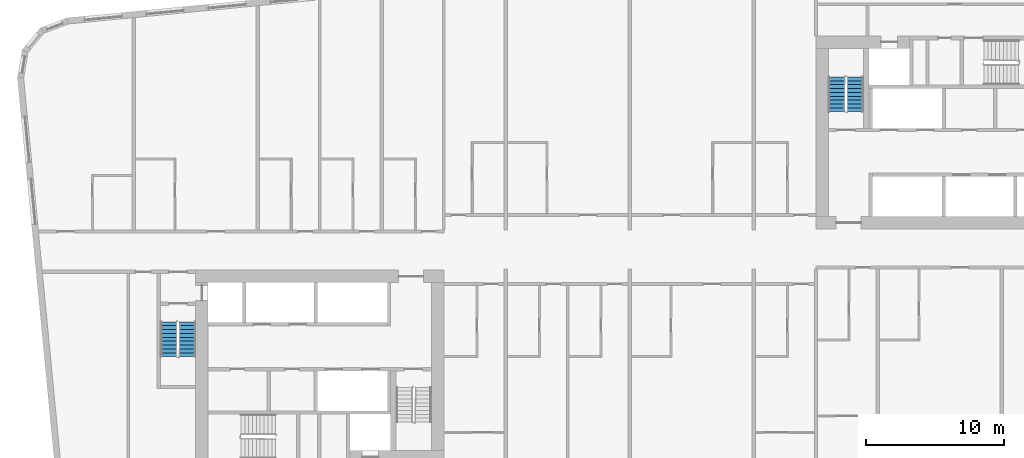
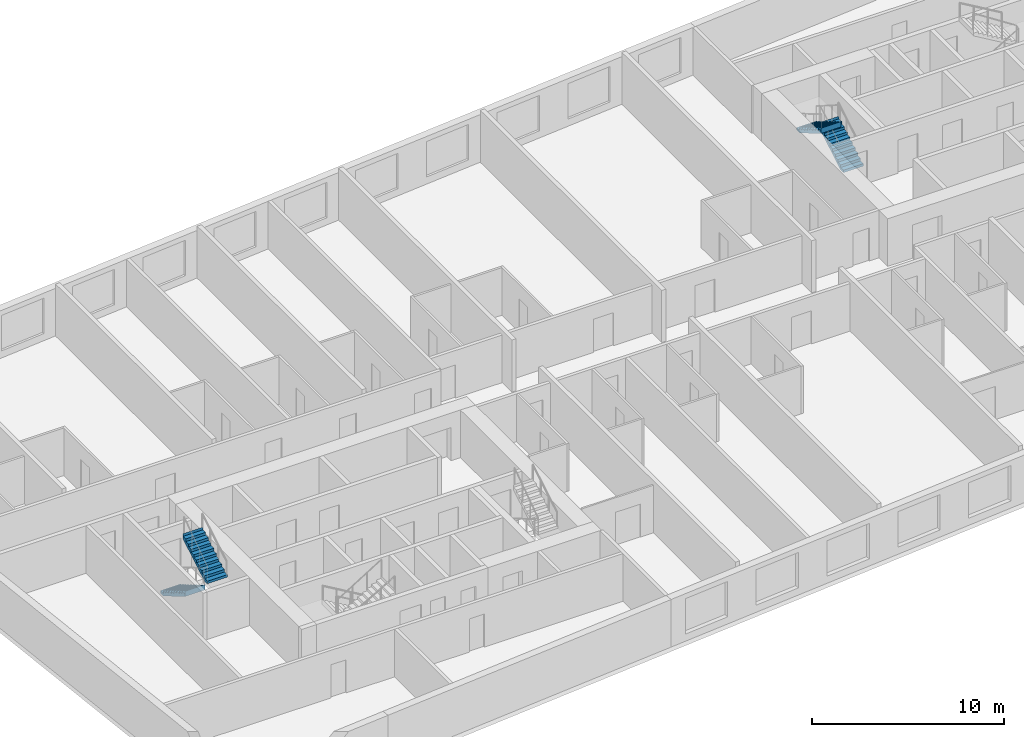
# One storey, part 10 of 12: 4 stair flights, 2 elements without a shape of their own.
"""IFC4 building model written with IfcOpenShell, lengths in metres."""

from ifc_helpers import new_model, si_unit, direction, frame, origin, place, context, subcontext, project, spatial, faceted_brep, material, type_object, element, aggregate, save


model = new_model("IFC4")

# Units and contexts
model_context = context("Model", 3, precision=1e-05, world=origin(), true_north=direction((0.0, 1.0)))
body_context = subcontext(model_context, "Body", "Model", "MODEL_VIEW")
ifc_project = project(units=[si_unit("LENGTHUNIT", "METRE"), si_unit("AREAUNIT", "SQUARE_METRE"), si_unit("VOLUMEUNIT", "CUBIC_METRE"), si_unit("PLANEANGLEUNIT", "RADIAN"), si_unit("MASSUNIT", "GRAM", prefix="KILO")], contexts=[model_context])

# Site, building, storey
site_placement = place(None, origin())
site = spatial("IfcSite", under=ifc_project, at=site_placement, CompositionType="ELEMENT")
building_placement = place(site_placement, origin())
building = spatial("IfcBuilding", under=site, at=building_placement, Name="Kajstack Hotel Tower", CompositionType="ELEMENT")
storey_placement = place(building_placement, frame((0.0, 0.0, 180.10009765625)))
storey = spatial("IfcBuildingStorey", under=building, at=storey_placement, Name="L42", CompositionType="ELEMENT", Elevation=180.10009765625)

# Stair, stair flights
ifc_material = material(Name="Concrete C40/50", Category="concrete")
stair_type = type_object("IfcStairType", Name="Exit stair 1200", PredefinedType="HALF_TURN_STAIR", material=ifc_material)
stair_1_placement = place(storey_placement, origin())
stair_1 = element("IfcStair", 1, at=stair_1_placement, inside=storey, type_object=stair_type, Name="L42 stair W1", PredefinedType="HALF_TURN_STAIR")
stair_flight_type = type_object("IfcStairFlightType", Name="Exit stair flight 1200", PredefinedType="STRAIGHT", material=ifc_material)
stair_flight_1_placement = place(storey_placement, frame((-33.449951171875, -5.25, 0.0), z_axis=(0.0, 0.0, 1.0), x_axis=(0.0, -1.0, 0.0)))
stair_flight_1 = element("IfcStairFlight", 2, at=stair_flight_1_placement, type_object=stair_flight_type, Name="W1 flight 1", NumberOfRisers=10, NumberOfTreads=9, PredefinedType="STRAIGHT", RiserHeight=0.165, TreadLength=0.28, context=body_context, shape_type="Brep", body=[
    faceted_brep([(0.295654296875, -0.60009765625, 0.0), (2.5205078125, -0.60009765625, 1.31103515625), (2.5205078125, -0.60009765625, 1.64990234375), (2.52001953125, -0.60009765625, 1.64990234375), (2.52001953125, -0.60009765625, 1.485107421875), (2.239990234375, -0.60009765625, 1.485107421875), (2.239990234375, -0.60009765625, 1.320068359375), (1.9599609375, -0.60009765625, 1.320068359375), (1.9599609375, -0.60009765625, 1.155029296875), (1.679931640625, -0.60009765625, 1.155029296875), (1.679931640625, -0.60009765625, 0.989990234375), (1.39990234375, -0.60009765625, 0.989990234375), (1.39990234375, -0.60009765625, 0.824951171875), (1.1201171875, -0.60009765625, 0.824951171875), (1.1201171875, -0.60009765625, 0.659912109375), (0.840087890625, -0.60009765625, 0.659912109375), (0.840087890625, -0.60009765625, 0.4951171875), (0.56005859375, -0.60009765625, 0.4951171875), (0.56005859375, -0.60009765625, 0.330078125), (0.280029296875, -0.60009765625, 0.330078125), (0.280029296875, -0.60009765625, 0.1650390625), (-0.00048828125, -0.60009765625, 0.1650390625), (-0.00048828125, -0.60009765625, 0.0), (-0.00048828125, 0.60009765625, 0.0), (-0.00048828125, 0.60009765625, 0.1650390625), (0.280029296875, 0.60009765625, 0.1650390625), (0.280029296875, 0.60009765625, 0.330078125), (0.56005859375, 0.60009765625, 0.330078125), (0.56005859375, 0.60009765625, 0.4951171875), (0.840087890625, 0.60009765625, 0.4951171875), (0.840087890625, 0.60009765625, 0.659912109375), (1.1201171875, 0.60009765625, 0.659912109375), (1.1201171875, 0.60009765625, 0.824951171875), (1.39990234375, 0.60009765625, 0.824951171875), (1.39990234375, 0.60009765625, 0.989990234375), (1.679931640625, 0.60009765625, 0.989990234375), (1.679931640625, 0.60009765625, 1.155029296875), (1.9599609375, 0.60009765625, 1.155029296875), (1.9599609375, 0.60009765625, 1.320068359375), (2.239990234375, 0.60009765625, 1.320068359375), (2.239990234375, 0.60009765625, 1.485107421875), (2.52001953125, 0.60009765625, 1.485107421875), (2.52001953125, 0.60009765625, 1.64990234375), (2.5205078125, 0.60009765625, 1.64990234375), (2.5205078125, 0.60009765625, 1.31103515625), (0.295654296875, 0.60009765625, 0.0), (-0.00048828125, -0.300048828125, 0.1650390625), (-0.00048828125, 0.0, 0.1650390625), (-0.00048828125, 0.300048828125, 0.1650390625), (-0.00048828125, 0.300048828125, 0.0), (-0.00048828125, 0.0, 0.0), (-0.00048828125, -0.300048828125, 0.0), (0.280029296875, -0.300048828125, 0.1650390625), (0.280029296875, 0.0, 0.1650390625), (0.280029296875, 0.300048828125, 0.1650390625), (0.280029296875, -0.300048828125, 0.330078125), (0.280029296875, 0.0, 0.330078125), (0.280029296875, 0.300048828125, 0.330078125), (0.56005859375, -0.300048828125, 0.330078125), (0.56005859375, 0.0, 0.330078125), (0.56005859375, 0.300048828125, 0.330078125), (0.56005859375, -0.300048828125, 0.4951171875), (0.56005859375, 0.0, 0.4951171875), (0.56005859375, 0.300048828125, 0.4951171875), (0.840087890625, -0.300048828125, 0.4951171875), (0.840087890625, 0.0, 0.4951171875), (0.840087890625, 0.300048828125, 0.4951171875), (0.840087890625, -0.300048828125, 0.659912109375), (0.840087890625, 0.0, 0.659912109375), (0.840087890625, 0.300048828125, 0.659912109375), (1.1201171875, -0.300048828125, 0.659912109375), (1.1201171875, 0.0, 0.659912109375), (1.1201171875, 0.300048828125, 0.659912109375), (1.1201171875, -0.300048828125, 0.824951171875), (1.1201171875, 0.0, 0.824951171875), (1.1201171875, 0.300048828125, 0.824951171875), (1.39990234375, -0.300048828125, 0.824951171875), (1.39990234375, 0.0, 0.824951171875), (1.39990234375, 0.300048828125, 0.824951171875), (1.39990234375, -0.300048828125, 0.989990234375), (1.39990234375, 0.0, 0.989990234375), (1.39990234375, 0.300048828125, 0.989990234375), (1.679931640625, -0.300048828125, 0.989990234375), (1.679931640625, 0.0, 0.989990234375), (1.679931640625, 0.300048828125, 0.989990234375), (1.679931640625, -0.300048828125, 1.155029296875), (1.679931640625, 0.0, 1.155029296875), (1.679931640625, 0.300048828125, 1.155029296875), (1.9599609375, -0.300048828125, 1.155029296875), (1.9599609375, 0.0, 1.155029296875), (1.9599609375, 0.300048828125, 1.155029296875), (1.9599609375, -0.300048828125, 1.320068359375), (1.9599609375, 0.0, 1.320068359375), (1.9599609375, 0.300048828125, 1.320068359375), (2.239990234375, -0.300048828125, 1.320068359375), (2.239990234375, 0.0, 1.320068359375), (2.239990234375, 0.300048828125, 1.320068359375), (2.239990234375, -0.300048828125, 1.485107421875), (2.239990234375, 0.0, 1.485107421875), (2.239990234375, 0.300048828125, 1.485107421875), (2.52001953125, -0.300048828125, 1.485107421875), (2.52001953125, 0.0, 1.485107421875), (2.52001953125, 0.300048828125, 1.485107421875), (2.52001953125, -0.300048828125, 1.64990234375), (2.52001953125, 0.0, 1.64990234375), (2.52001953125, 0.300048828125, 1.64990234375), (2.5205078125, -0.300048828125, 1.64990234375), (2.5205078125, 0.0, 1.64990234375), (2.5205078125, 0.300048828125, 1.64990234375), (2.5205078125, -0.300048828125, 1.31103515625), (2.5205078125, 0.0, 1.31103515625), (2.5205078125, 0.300048828125, 1.31103515625), (0.295654296875, -0.300048828125, 0.0), (0.295654296875, 0.0, 0.0), (0.295654296875, 0.300048828125, 0.0)], [[[0, 1, 2, 3, 4, 5, 6, 7, 8, 9, 10, 11, 12, 13, 14, 15, 16, 17, 18, 19, 20, 21, 22]], [[23, 24, 25, 26, 27, 28, 29, 30, 31, 32, 33, 34, 35, 36, 37, 38, 39, 40, 41, 42, 43, 44, 45]], [[21, 46, 47, 48, 24, 23, 49, 50, 51, 22]], [[20, 52, 53, 54, 25, 24, 48, 47, 46, 21]], [[19, 55, 56, 57, 26, 25, 54, 53, 52, 20]], [[18, 58, 59, 60, 27, 26, 57, 56, 55, 19]], [[17, 61, 62, 63, 28, 27, 60, 59, 58, 18]], [[16, 64, 65, 66, 29, 28, 63, 62, 61, 17]], [[15, 67, 68, 69, 30, 29, 66, 65, 64, 16]], [[14, 70, 71, 72, 31, 30, 69, 68, 67, 15]], [[13, 73, 74, 75, 32, 31, 72, 71, 70, 14]], [[12, 76, 77, 78, 33, 32, 75, 74, 73, 13]], [[11, 79, 80, 81, 34, 33, 78, 77, 76, 12]], [[10, 82, 83, 84, 35, 34, 81, 80, 79, 11]], [[9, 85, 86, 87, 36, 35, 84, 83, 82, 10]], [[8, 88, 89, 90, 37, 36, 87, 86, 85, 9]], [[7, 91, 92, 93, 38, 37, 90, 89, 88, 8]], [[6, 94, 95, 96, 39, 38, 93, 92, 91, 7]], [[5, 97, 98, 99, 40, 39, 96, 95, 94, 6]], [[4, 100, 101, 102, 41, 40, 99, 98, 97, 5]], [[3, 103, 104, 105, 42, 41, 102, 101, 100, 4]], [[2, 106, 107, 108, 43, 42, 105, 104, 103, 3]], [[1, 109, 110, 111, 44, 43, 108, 107, 106, 2]], [[0, 112, 113, 114, 45, 44, 111, 110, 109, 1]], [[22, 51, 50, 49, 23, 45, 114, 113, 112, 0]]]),
])
stair_flight_2_placement = place(storey_placement, frame((-32.10009765625, -7.77001953125, 1.64990234375), z_axis=(0.0, 0.0, 1.0), x_axis=(0.0, 1.0, 0.0)))
stair_flight_2 = element("IfcStairFlight", 3, at=stair_flight_2_placement, type_object=stair_flight_type, Name="W1 flight 2", NumberOfRisers=10, NumberOfTreads=9, PredefinedType="STRAIGHT", RiserHeight=0.165, TreadLength=0.28, context=body_context, shape_type="Brep", body=[
    faceted_brep([(0.295654296875, -0.60009765625, 0.0), (2.5205078125, -0.60009765625, 1.31103515625), (2.5205078125, -0.60009765625, 1.64990234375), (2.52001953125, -0.60009765625, 1.64990234375), (2.52001953125, -0.60009765625, 1.485107421875), (2.239990234375, -0.60009765625, 1.485107421875), (2.239990234375, -0.60009765625, 1.320068359375), (1.9599609375, -0.60009765625, 1.320068359375), (1.9599609375, -0.60009765625, 1.155029296875), (1.679931640625, -0.60009765625, 1.155029296875), (1.679931640625, -0.60009765625, 0.989990234375), (1.39990234375, -0.60009765625, 0.989990234375), (1.39990234375, -0.60009765625, 0.824951171875), (1.1201171875, -0.60009765625, 0.824951171875), (1.1201171875, -0.60009765625, 0.659912109375), (0.840087890625, -0.60009765625, 0.659912109375), (0.840087890625, -0.60009765625, 0.4951171875), (0.56005859375, -0.60009765625, 0.4951171875), (0.56005859375, -0.60009765625, 0.330078125), (0.280029296875, -0.60009765625, 0.330078125), (0.280029296875, -0.60009765625, 0.1650390625), (-0.00048828125, -0.60009765625, 0.1650390625), (-0.00048828125, -0.60009765625, 0.0), (-0.00048828125, 0.60009765625, 0.0), (-0.00048828125, 0.60009765625, 0.1650390625), (0.280029296875, 0.60009765625, 0.1650390625), (0.280029296875, 0.60009765625, 0.330078125), (0.56005859375, 0.60009765625, 0.330078125), (0.56005859375, 0.60009765625, 0.4951171875), (0.840087890625, 0.60009765625, 0.4951171875), (0.840087890625, 0.60009765625, 0.659912109375), (1.1201171875, 0.60009765625, 0.659912109375), (1.1201171875, 0.60009765625, 0.824951171875), (1.39990234375, 0.60009765625, 0.824951171875), (1.39990234375, 0.60009765625, 0.989990234375), (1.679931640625, 0.60009765625, 0.989990234375), (1.679931640625, 0.60009765625, 1.155029296875), (1.9599609375, 0.60009765625, 1.155029296875), (1.9599609375, 0.60009765625, 1.320068359375), (2.239990234375, 0.60009765625, 1.320068359375), (2.239990234375, 0.60009765625, 1.485107421875), (2.52001953125, 0.60009765625, 1.485107421875), (2.52001953125, 0.60009765625, 1.64990234375), (2.5205078125, 0.60009765625, 1.64990234375), (2.5205078125, 0.60009765625, 1.31103515625), (0.295654296875, 0.60009765625, 0.0), (-0.00048828125, -0.300048828125, 0.1650390625), (-0.00048828125, 0.0, 0.1650390625), (-0.00048828125, 0.300048828125, 0.1650390625), (-0.00048828125, 0.300048828125, 0.0), (-0.00048828125, 0.0, 0.0), (-0.00048828125, -0.300048828125, 0.0), (0.280029296875, -0.300048828125, 0.1650390625), (0.280029296875, 0.0, 0.1650390625), (0.280029296875, 0.300048828125, 0.1650390625), (0.280029296875, -0.300048828125, 0.330078125), (0.280029296875, 0.0, 0.330078125), (0.280029296875, 0.300048828125, 0.330078125), (0.56005859375, -0.300048828125, 0.330078125), (0.56005859375, 0.0, 0.330078125), (0.56005859375, 0.300048828125, 0.330078125), (0.56005859375, -0.300048828125, 0.4951171875), (0.56005859375, 0.0, 0.4951171875), (0.56005859375, 0.300048828125, 0.4951171875), (0.840087890625, -0.300048828125, 0.4951171875), (0.840087890625, 0.0, 0.4951171875), (0.840087890625, 0.300048828125, 0.4951171875), (0.840087890625, -0.300048828125, 0.659912109375), (0.840087890625, 0.0, 0.659912109375), (0.840087890625, 0.300048828125, 0.659912109375), (1.1201171875, -0.300048828125, 0.659912109375), (1.1201171875, 0.0, 0.659912109375), (1.1201171875, 0.300048828125, 0.659912109375), (1.1201171875, -0.300048828125, 0.824951171875), (1.1201171875, 0.0, 0.824951171875), (1.1201171875, 0.300048828125, 0.824951171875), (1.39990234375, -0.300048828125, 0.824951171875), (1.39990234375, 0.0, 0.824951171875), (1.39990234375, 0.300048828125, 0.824951171875), (1.39990234375, -0.300048828125, 0.989990234375), (1.39990234375, 0.0, 0.989990234375), (1.39990234375, 0.300048828125, 0.989990234375), (1.679931640625, -0.300048828125, 0.989990234375), (1.679931640625, 0.0, 0.989990234375), (1.679931640625, 0.300048828125, 0.989990234375), (1.679931640625, -0.300048828125, 1.155029296875), (1.679931640625, 0.0, 1.155029296875), (1.679931640625, 0.300048828125, 1.155029296875), (1.9599609375, -0.300048828125, 1.155029296875), (1.9599609375, 0.0, 1.155029296875), (1.9599609375, 0.300048828125, 1.155029296875), (1.9599609375, -0.300048828125, 1.320068359375), (1.9599609375, 0.0, 1.320068359375), (1.9599609375, 0.300048828125, 1.320068359375), (2.239990234375, -0.300048828125, 1.320068359375), (2.239990234375, 0.0, 1.320068359375), (2.239990234375, 0.300048828125, 1.320068359375), (2.239990234375, -0.300048828125, 1.485107421875), (2.239990234375, 0.0, 1.485107421875), (2.239990234375, 0.300048828125, 1.485107421875), (2.52001953125, -0.300048828125, 1.485107421875), (2.52001953125, 0.0, 1.485107421875), (2.52001953125, 0.300048828125, 1.485107421875), (2.52001953125, -0.300048828125, 1.64990234375), (2.52001953125, 0.0, 1.64990234375), (2.52001953125, 0.300048828125, 1.64990234375), (2.5205078125, -0.300048828125, 1.64990234375), (2.5205078125, 0.0, 1.64990234375), (2.5205078125, 0.300048828125, 1.64990234375), (2.5205078125, -0.300048828125, 1.31103515625), (2.5205078125, 0.0, 1.31103515625), (2.5205078125, 0.300048828125, 1.31103515625), (0.295654296875, -0.300048828125, 0.0), (0.295654296875, 0.0, 0.0), (0.295654296875, 0.300048828125, 0.0)], [[[0, 1, 2, 3, 4, 5, 6, 7, 8, 9, 10, 11, 12, 13, 14, 15, 16, 17, 18, 19, 20, 21, 22]], [[23, 24, 25, 26, 27, 28, 29, 30, 31, 32, 33, 34, 35, 36, 37, 38, 39, 40, 41, 42, 43, 44, 45]], [[21, 46, 47, 48, 24, 23, 49, 50, 51, 22]], [[20, 52, 53, 54, 25, 24, 48, 47, 46, 21]], [[19, 55, 56, 57, 26, 25, 54, 53, 52, 20]], [[18, 58, 59, 60, 27, 26, 57, 56, 55, 19]], [[17, 61, 62, 63, 28, 27, 60, 59, 58, 18]], [[16, 64, 65, 66, 29, 28, 63, 62, 61, 17]], [[15, 67, 68, 69, 30, 29, 66, 65, 64, 16]], [[14, 70, 71, 72, 31, 30, 69, 68, 67, 15]], [[13, 73, 74, 75, 32, 31, 72, 71, 70, 14]], [[12, 76, 77, 78, 33, 32, 75, 74, 73, 13]], [[11, 79, 80, 81, 34, 33, 78, 77, 76, 12]], [[10, 82, 83, 84, 35, 34, 81, 80, 79, 11]], [[9, 85, 86, 87, 36, 35, 84, 83, 82, 10]], [[8, 88, 89, 90, 37, 36, 87, 86, 85, 9]], [[7, 91, 92, 93, 38, 37, 90, 89, 88, 8]], [[6, 94, 95, 96, 39, 38, 93, 92, 91, 7]], [[5, 97, 98, 99, 40, 39, 96, 95, 94, 6]], [[4, 100, 101, 102, 41, 40, 99, 98, 97, 5]], [[3, 103, 104, 105, 42, 41, 102, 101, 100, 4]], [[2, 106, 107, 108, 43, 42, 105, 104, 103, 3]], [[1, 109, 110, 111, 44, 43, 108, 107, 106, 2]], [[0, 112, 113, 114, 45, 44, 111, 110, 109, 1]], [[22, 51, 50, 49, 23, 45, 114, 113, 112, 0]]]),
])
aggregate(stair_1, [stair_flight_1, stair_flight_2])

stair_2_placement = place(storey_placement, origin())
stair_2 = element("IfcStair", 4, at=stair_2_placement, inside=storey, type_object=stair_type, Name="L42 stair E2", PredefinedType="HALF_TURN_STAIR")
stair_flight_3_placement = place(storey_placement, frame((16.35009765625, 10.0, 0.0), z_axis=(0.0, 0.0, 1.0), x_axis=(0.0, 1.0, 0.0)))
stair_flight_3 = element("IfcStairFlight", 5, at=stair_flight_3_placement, type_object=stair_flight_type, Name="E2 flight 1", NumberOfRisers=10, NumberOfTreads=9, PredefinedType="STRAIGHT", RiserHeight=0.165, TreadLength=0.28, context=body_context, shape_type="Brep", body=[
    faceted_brep([(0.295654296875, -0.60009765625, 0.0), (2.5205078125, -0.60009765625, 1.31103515625), (2.5205078125, -0.60009765625, 1.64990234375), (2.52001953125, -0.60009765625, 1.64990234375), (2.52001953125, -0.60009765625, 1.485107421875), (2.239990234375, -0.60009765625, 1.485107421875), (2.239990234375, -0.60009765625, 1.320068359375), (1.9599609375, -0.60009765625, 1.320068359375), (1.9599609375, -0.60009765625, 1.155029296875), (1.679931640625, -0.60009765625, 1.155029296875), (1.679931640625, -0.60009765625, 0.989990234375), (1.39990234375, -0.60009765625, 0.989990234375), (1.39990234375, -0.60009765625, 0.824951171875), (1.1201171875, -0.60009765625, 0.824951171875), (1.1201171875, -0.60009765625, 0.659912109375), (0.840087890625, -0.60009765625, 0.659912109375), (0.840087890625, -0.60009765625, 0.4951171875), (0.56005859375, -0.60009765625, 0.4951171875), (0.56005859375, -0.60009765625, 0.330078125), (0.280029296875, -0.60009765625, 0.330078125), (0.280029296875, -0.60009765625, 0.1650390625), (-0.00048828125, -0.60009765625, 0.1650390625), (-0.00048828125, -0.60009765625, 0.0), (-0.00048828125, 0.60009765625, 0.0), (-0.00048828125, 0.60009765625, 0.1650390625), (0.280029296875, 0.60009765625, 0.1650390625), (0.280029296875, 0.60009765625, 0.330078125), (0.56005859375, 0.60009765625, 0.330078125), (0.56005859375, 0.60009765625, 0.4951171875), (0.840087890625, 0.60009765625, 0.4951171875), (0.840087890625, 0.60009765625, 0.659912109375), (1.1201171875, 0.60009765625, 0.659912109375), (1.1201171875, 0.60009765625, 0.824951171875), (1.39990234375, 0.60009765625, 0.824951171875), (1.39990234375, 0.60009765625, 0.989990234375), (1.679931640625, 0.60009765625, 0.989990234375), (1.679931640625, 0.60009765625, 1.155029296875), (1.9599609375, 0.60009765625, 1.155029296875), (1.9599609375, 0.60009765625, 1.320068359375), (2.239990234375, 0.60009765625, 1.320068359375), (2.239990234375, 0.60009765625, 1.485107421875), (2.52001953125, 0.60009765625, 1.485107421875), (2.52001953125, 0.60009765625, 1.64990234375), (2.5205078125, 0.60009765625, 1.64990234375), (2.5205078125, 0.60009765625, 1.31103515625), (0.295654296875, 0.60009765625, 0.0), (-0.00048828125, -0.300048828125, 0.1650390625), (-0.00048828125, 0.0, 0.1650390625), (-0.00048828125, 0.300048828125, 0.1650390625), (-0.00048828125, 0.300048828125, 0.0), (-0.00048828125, 0.0, 0.0), (-0.00048828125, -0.300048828125, 0.0), (0.280029296875, -0.300048828125, 0.1650390625), (0.280029296875, 0.0, 0.1650390625), (0.280029296875, 0.300048828125, 0.1650390625), (0.280029296875, -0.300048828125, 0.330078125), (0.280029296875, 0.0, 0.330078125), (0.280029296875, 0.300048828125, 0.330078125), (0.56005859375, -0.300048828125, 0.330078125), (0.56005859375, 0.0, 0.330078125), (0.56005859375, 0.300048828125, 0.330078125), (0.56005859375, -0.300048828125, 0.4951171875), (0.56005859375, 0.0, 0.4951171875), (0.56005859375, 0.300048828125, 0.4951171875), (0.840087890625, -0.300048828125, 0.4951171875), (0.840087890625, 0.0, 0.4951171875), (0.840087890625, 0.300048828125, 0.4951171875), (0.840087890625, -0.300048828125, 0.659912109375), (0.840087890625, 0.0, 0.659912109375), (0.840087890625, 0.300048828125, 0.659912109375), (1.1201171875, -0.300048828125, 0.659912109375), (1.1201171875, 0.0, 0.659912109375), (1.1201171875, 0.300048828125, 0.659912109375), (1.1201171875, -0.300048828125, 0.824951171875), (1.1201171875, 0.0, 0.824951171875), (1.1201171875, 0.300048828125, 0.824951171875), (1.39990234375, -0.300048828125, 0.824951171875), (1.39990234375, 0.0, 0.824951171875), (1.39990234375, 0.300048828125, 0.824951171875), (1.39990234375, -0.300048828125, 0.989990234375), (1.39990234375, 0.0, 0.989990234375), (1.39990234375, 0.300048828125, 0.989990234375), (1.679931640625, -0.300048828125, 0.989990234375), (1.679931640625, 0.0, 0.989990234375), (1.679931640625, 0.300048828125, 0.989990234375), (1.679931640625, -0.300048828125, 1.155029296875), (1.679931640625, 0.0, 1.155029296875), (1.679931640625, 0.300048828125, 1.155029296875), (1.9599609375, -0.300048828125, 1.155029296875), (1.9599609375, 0.0, 1.155029296875), (1.9599609375, 0.300048828125, 1.155029296875), (1.9599609375, -0.300048828125, 1.320068359375), (1.9599609375, 0.0, 1.320068359375), (1.9599609375, 0.300048828125, 1.320068359375), (2.239990234375, -0.300048828125, 1.320068359375), (2.239990234375, 0.0, 1.320068359375), (2.239990234375, 0.300048828125, 1.320068359375), (2.239990234375, -0.300048828125, 1.485107421875), (2.239990234375, 0.0, 1.485107421875), (2.239990234375, 0.300048828125, 1.485107421875), (2.52001953125, -0.300048828125, 1.485107421875), (2.52001953125, 0.0, 1.485107421875), (2.52001953125, 0.300048828125, 1.485107421875), (2.52001953125, -0.300048828125, 1.64990234375), (2.52001953125, 0.0, 1.64990234375), (2.52001953125, 0.300048828125, 1.64990234375), (2.5205078125, -0.300048828125, 1.64990234375), (2.5205078125, 0.0, 1.64990234375), (2.5205078125, 0.300048828125, 1.64990234375), (2.5205078125, -0.300048828125, 1.31103515625), (2.5205078125, 0.0, 1.31103515625), (2.5205078125, 0.300048828125, 1.31103515625), (0.295654296875, -0.300048828125, 0.0), (0.295654296875, 0.0, 0.0), (0.295654296875, 0.300048828125, 0.0)], [[[0, 1, 2, 3, 4, 5, 6, 7, 8, 9, 10, 11, 12, 13, 14, 15, 16, 17, 18, 19, 20, 21, 22]], [[23, 24, 25, 26, 27, 28, 29, 30, 31, 32, 33, 34, 35, 36, 37, 38, 39, 40, 41, 42, 43, 44, 45]], [[21, 46, 47, 48, 24, 23, 49, 50, 51, 22]], [[20, 52, 53, 54, 25, 24, 48, 47, 46, 21]], [[19, 55, 56, 57, 26, 25, 54, 53, 52, 20]], [[18, 58, 59, 60, 27, 26, 57, 56, 55, 19]], [[17, 61, 62, 63, 28, 27, 60, 59, 58, 18]], [[16, 64, 65, 66, 29, 28, 63, 62, 61, 17]], [[15, 67, 68, 69, 30, 29, 66, 65, 64, 16]], [[14, 70, 71, 72, 31, 30, 69, 68, 67, 15]], [[13, 73, 74, 75, 32, 31, 72, 71, 70, 14]], [[12, 76, 77, 78, 33, 32, 75, 74, 73, 13]], [[11, 79, 80, 81, 34, 33, 78, 77, 76, 12]], [[10, 82, 83, 84, 35, 34, 81, 80, 79, 11]], [[9, 85, 86, 87, 36, 35, 84, 83, 82, 10]], [[8, 88, 89, 90, 37, 36, 87, 86, 85, 9]], [[7, 91, 92, 93, 38, 37, 90, 89, 88, 8]], [[6, 94, 95, 96, 39, 38, 93, 92, 91, 7]], [[5, 97, 98, 99, 40, 39, 96, 95, 94, 6]], [[4, 100, 101, 102, 41, 40, 99, 98, 97, 5]], [[3, 103, 104, 105, 42, 41, 102, 101, 100, 4]], [[2, 106, 107, 108, 43, 42, 105, 104, 103, 3]], [[1, 109, 110, 111, 44, 43, 108, 107, 106, 2]], [[0, 112, 113, 114, 45, 44, 111, 110, 109, 1]], [[22, 51, 50, 49, 23, 45, 114, 113, 112, 0]]]),
])
stair_flight_4_placement = place(storey_placement, frame((15.0, 12.52001953125, 1.64990234375), z_axis=(0.0, 0.0, 1.0), x_axis=(0.0, -1.0, 0.0)))
stair_flight_4 = element("IfcStairFlight", 6, at=stair_flight_4_placement, type_object=stair_flight_type, Name="E2 flight 2", NumberOfRisers=10, NumberOfTreads=9, PredefinedType="STRAIGHT", RiserHeight=0.165, TreadLength=0.28, context=body_context, shape_type="Brep", body=[
    faceted_brep([(0.295654296875, -0.60009765625, 0.0), (2.5205078125, -0.60009765625, 1.31103515625), (2.5205078125, -0.60009765625, 1.64990234375), (2.52001953125, -0.60009765625, 1.64990234375), (2.52001953125, -0.60009765625, 1.485107421875), (2.239990234375, -0.60009765625, 1.485107421875), (2.239990234375, -0.60009765625, 1.320068359375), (1.9599609375, -0.60009765625, 1.320068359375), (1.9599609375, -0.60009765625, 1.155029296875), (1.679931640625, -0.60009765625, 1.155029296875), (1.679931640625, -0.60009765625, 0.989990234375), (1.39990234375, -0.60009765625, 0.989990234375), (1.39990234375, -0.60009765625, 0.824951171875), (1.1201171875, -0.60009765625, 0.824951171875), (1.1201171875, -0.60009765625, 0.659912109375), (0.840087890625, -0.60009765625, 0.659912109375), (0.840087890625, -0.60009765625, 0.4951171875), (0.56005859375, -0.60009765625, 0.4951171875), (0.56005859375, -0.60009765625, 0.330078125), (0.280029296875, -0.60009765625, 0.330078125), (0.280029296875, -0.60009765625, 0.1650390625), (-0.00048828125, -0.60009765625, 0.1650390625), (-0.00048828125, -0.60009765625, 0.0), (-0.00048828125, 0.60009765625, 0.0), (-0.00048828125, 0.60009765625, 0.1650390625), (0.280029296875, 0.60009765625, 0.1650390625), (0.280029296875, 0.60009765625, 0.330078125), (0.56005859375, 0.60009765625, 0.330078125), (0.56005859375, 0.60009765625, 0.4951171875), (0.840087890625, 0.60009765625, 0.4951171875), (0.840087890625, 0.60009765625, 0.659912109375), (1.1201171875, 0.60009765625, 0.659912109375), (1.1201171875, 0.60009765625, 0.824951171875), (1.39990234375, 0.60009765625, 0.824951171875), (1.39990234375, 0.60009765625, 0.989990234375), (1.679931640625, 0.60009765625, 0.989990234375), (1.679931640625, 0.60009765625, 1.155029296875), (1.9599609375, 0.60009765625, 1.155029296875), (1.9599609375, 0.60009765625, 1.320068359375), (2.239990234375, 0.60009765625, 1.320068359375), (2.239990234375, 0.60009765625, 1.485107421875), (2.52001953125, 0.60009765625, 1.485107421875), (2.52001953125, 0.60009765625, 1.64990234375), (2.5205078125, 0.60009765625, 1.64990234375), (2.5205078125, 0.60009765625, 1.31103515625), (0.295654296875, 0.60009765625, 0.0), (-0.00048828125, -0.300048828125, 0.1650390625), (-0.00048828125, 0.0, 0.1650390625), (-0.00048828125, 0.300048828125, 0.1650390625), (-0.00048828125, 0.300048828125, 0.0), (-0.00048828125, 0.0, 0.0), (-0.00048828125, -0.300048828125, 0.0), (0.280029296875, -0.300048828125, 0.1650390625), (0.280029296875, 0.0, 0.1650390625), (0.280029296875, 0.300048828125, 0.1650390625), (0.280029296875, -0.300048828125, 0.330078125), (0.280029296875, 0.0, 0.330078125), (0.280029296875, 0.300048828125, 0.330078125), (0.56005859375, -0.300048828125, 0.330078125), (0.56005859375, 0.0, 0.330078125), (0.56005859375, 0.300048828125, 0.330078125), (0.56005859375, -0.300048828125, 0.4951171875), (0.56005859375, 0.0, 0.4951171875), (0.56005859375, 0.300048828125, 0.4951171875), (0.840087890625, -0.300048828125, 0.4951171875), (0.840087890625, 0.0, 0.4951171875), (0.840087890625, 0.300048828125, 0.4951171875), (0.840087890625, -0.300048828125, 0.659912109375), (0.840087890625, 0.0, 0.659912109375), (0.840087890625, 0.300048828125, 0.659912109375), (1.1201171875, -0.300048828125, 0.659912109375), (1.1201171875, 0.0, 0.659912109375), (1.1201171875, 0.300048828125, 0.659912109375), (1.1201171875, -0.300048828125, 0.824951171875), (1.1201171875, 0.0, 0.824951171875), (1.1201171875, 0.300048828125, 0.824951171875), (1.39990234375, -0.300048828125, 0.824951171875), (1.39990234375, 0.0, 0.824951171875), (1.39990234375, 0.300048828125, 0.824951171875), (1.39990234375, -0.300048828125, 0.989990234375), (1.39990234375, 0.0, 0.989990234375), (1.39990234375, 0.300048828125, 0.989990234375), (1.679931640625, -0.300048828125, 0.989990234375), (1.679931640625, 0.0, 0.989990234375), (1.679931640625, 0.300048828125, 0.989990234375), (1.679931640625, -0.300048828125, 1.155029296875), (1.679931640625, 0.0, 1.155029296875), (1.679931640625, 0.300048828125, 1.155029296875), (1.9599609375, -0.300048828125, 1.155029296875), (1.9599609375, 0.0, 1.155029296875), (1.9599609375, 0.300048828125, 1.155029296875), (1.9599609375, -0.300048828125, 1.320068359375), (1.9599609375, 0.0, 1.320068359375), (1.9599609375, 0.300048828125, 1.320068359375), (2.239990234375, -0.300048828125, 1.320068359375), (2.239990234375, 0.0, 1.320068359375), (2.239990234375, 0.300048828125, 1.320068359375), (2.239990234375, -0.300048828125, 1.485107421875), (2.239990234375, 0.0, 1.485107421875), (2.239990234375, 0.300048828125, 1.485107421875), (2.52001953125, -0.300048828125, 1.485107421875), (2.52001953125, 0.0, 1.485107421875), (2.52001953125, 0.300048828125, 1.485107421875), (2.52001953125, -0.300048828125, 1.64990234375), (2.52001953125, 0.0, 1.64990234375), (2.52001953125, 0.300048828125, 1.64990234375), (2.5205078125, -0.300048828125, 1.64990234375), (2.5205078125, 0.0, 1.64990234375), (2.5205078125, 0.300048828125, 1.64990234375), (2.5205078125, -0.300048828125, 1.31103515625), (2.5205078125, 0.0, 1.31103515625), (2.5205078125, 0.300048828125, 1.31103515625), (0.295654296875, -0.300048828125, 0.0), (0.295654296875, 0.0, 0.0), (0.295654296875, 0.300048828125, 0.0)], [[[0, 1, 2, 3, 4, 5, 6, 7, 8, 9, 10, 11, 12, 13, 14, 15, 16, 17, 18, 19, 20, 21, 22]], [[23, 24, 25, 26, 27, 28, 29, 30, 31, 32, 33, 34, 35, 36, 37, 38, 39, 40, 41, 42, 43, 44, 45]], [[21, 46, 47, 48, 24, 23, 49, 50, 51, 22]], [[20, 52, 53, 54, 25, 24, 48, 47, 46, 21]], [[19, 55, 56, 57, 26, 25, 54, 53, 52, 20]], [[18, 58, 59, 60, 27, 26, 57, 56, 55, 19]], [[17, 61, 62, 63, 28, 27, 60, 59, 58, 18]], [[16, 64, 65, 66, 29, 28, 63, 62, 61, 17]], [[15, 67, 68, 69, 30, 29, 66, 65, 64, 16]], [[14, 70, 71, 72, 31, 30, 69, 68, 67, 15]], [[13, 73, 74, 75, 32, 31, 72, 71, 70, 14]], [[12, 76, 77, 78, 33, 32, 75, 74, 73, 13]], [[11, 79, 80, 81, 34, 33, 78, 77, 76, 12]], [[10, 82, 83, 84, 35, 34, 81, 80, 79, 11]], [[9, 85, 86, 87, 36, 35, 84, 83, 82, 10]], [[8, 88, 89, 90, 37, 36, 87, 86, 85, 9]], [[7, 91, 92, 93, 38, 37, 90, 89, 88, 8]], [[6, 94, 95, 96, 39, 38, 93, 92, 91, 7]], [[5, 97, 98, 99, 40, 39, 96, 95, 94, 6]], [[4, 100, 101, 102, 41, 40, 99, 98, 97, 5]], [[3, 103, 104, 105, 42, 41, 102, 101, 100, 4]], [[2, 106, 107, 108, 43, 42, 105, 104, 103, 3]], [[1, 109, 110, 111, 44, 43, 108, 107, 106, 2]], [[0, 112, 113, 114, 45, 44, 111, 110, 109, 1]], [[22, 51, 50, 49, 23, 45, 114, 113, 112, 0]]]),
])
aggregate(stair_2, [stair_flight_3, stair_flight_4])

save(model, "model.ifc")
